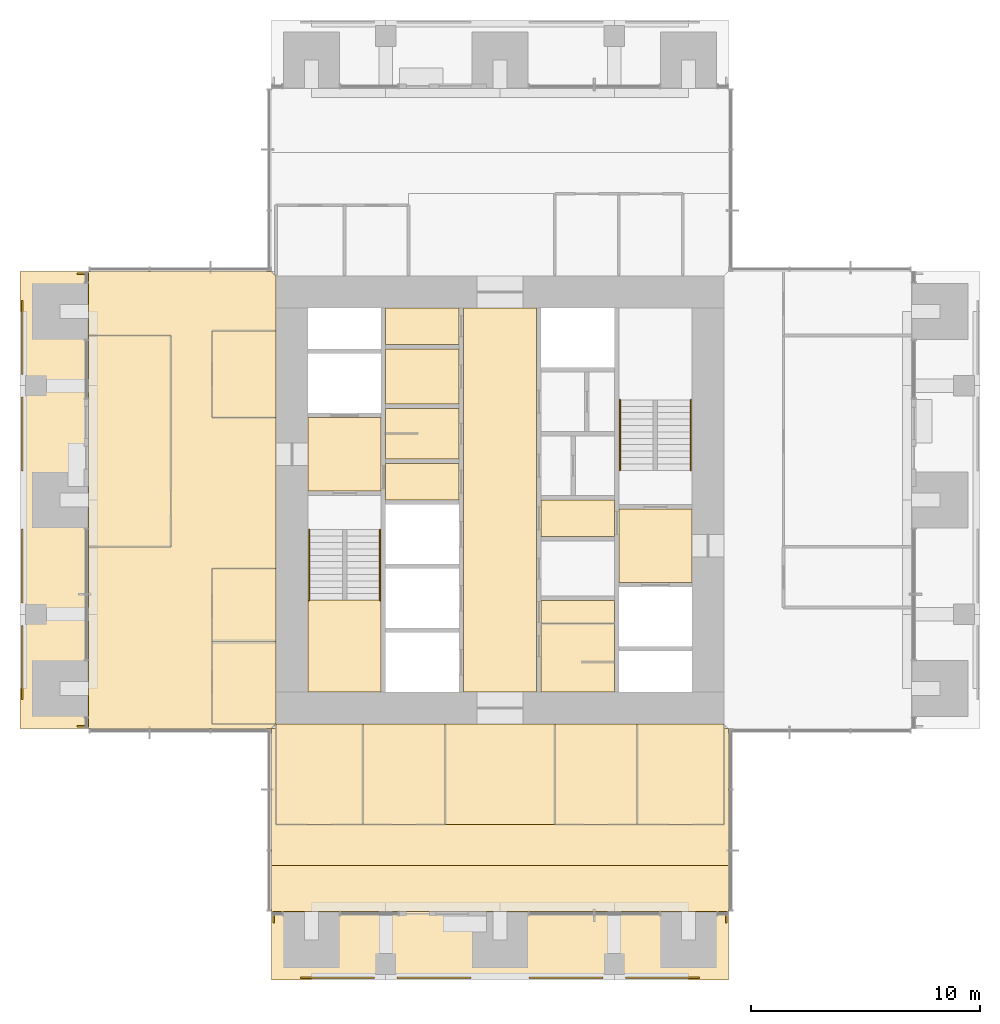
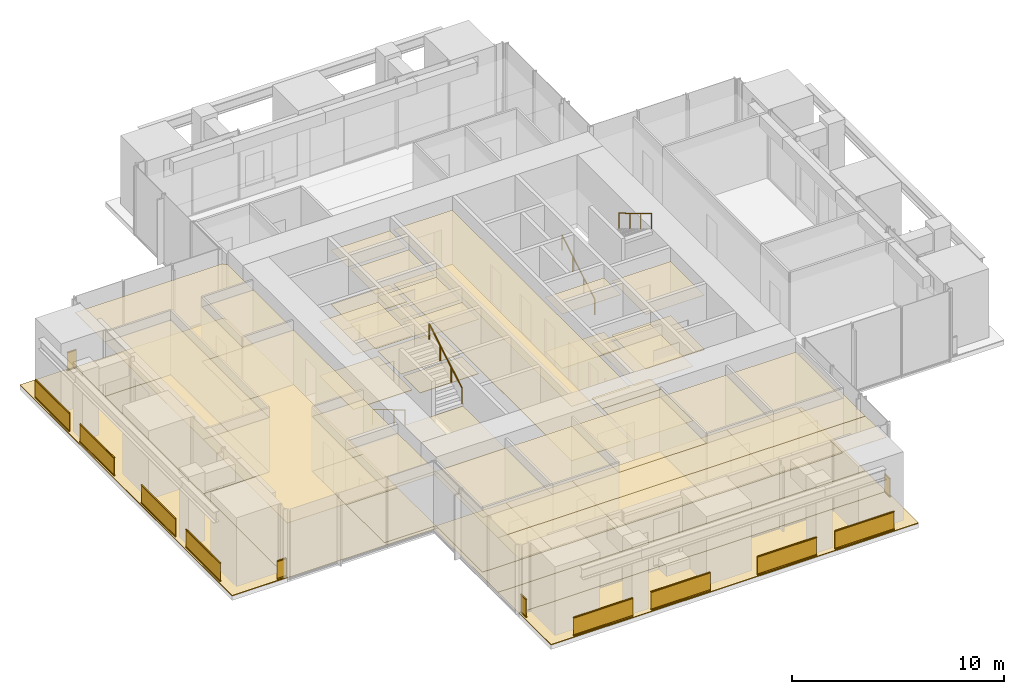
# One storey, part 15 of 17: 47 coverings, 16 railings.
"""IFC4 building model written with IfcOpenShell, lengths in metres."""

from ifc_helpers import new_model, si_unit, direction, frame, origin, origin_2d, place, context, subcontext, project, spatial, polyline, rectangle, circle, outline, extrude, material, layer, layer_set, type_object, element, save


model = new_model("IFC4")

# Units and contexts
model_context = context("Model", 3, precision=1e-05, world=origin(), true_north=direction((0.0, 1.0)))
body_context = subcontext(model_context, "Body", "Model", "MODEL_VIEW")
ifc_project = project(units=[si_unit("LENGTHUNIT", "METRE"), si_unit("AREAUNIT", "SQUARE_METRE"), si_unit("VOLUMEUNIT", "CUBIC_METRE"), si_unit("PLANEANGLEUNIT", "RADIAN"), si_unit("MASSUNIT", "GRAM", prefix="KILO")], contexts=[model_context])

# Site, building, storey
site_placement = place(None, origin())
site = spatial("IfcSite", under=ifc_project, at=site_placement, CompositionType="ELEMENT")
building_placement = place(site_placement, origin())
building = spatial("IfcBuilding", under=site, at=building_placement, Name="Svetlomir Tower", CompositionType="ELEMENT")
storey_placement = place(building_placement, frame((0.0, 0.0, 206.5)))
storey = spatial("IfcBuildingStorey", under=building, at=storey_placement, Name="L49", CompositionType="ELEMENT", Elevation=206.5)

# Railings
ifc_material_1 = material(Name="Bronze anodised aluminium and laminated glass", Category="aluminium")
railing_type_1 = type_object("IfcRailingType", Name="BALCONY GUARD GR1 1100", PredefinedType="GUARDRAIL", material=ifc_material_1)
for number, where, name in (
    (1, (12.27490234375, 0.10009765625, 0.0), "Loggia guard S L49 bay 1"),
    (2, (16.5, 0.10009765625, 0.0), "Loggia guard S L49 bay 2"),
    (3, (22.27490234375, 0.10009765625, 0.0), "Loggia guard S L49 bay 3"),
    (4, (26.5, 0.10009765625, 0.0), "Loggia guard S L49 bay 4"),
):
    element("IfcRailing", number, at=place(storey_placement, frame(where)), inside=storey, type_object=railing_type_1, Name=name, PredefinedType="GUARDRAIL", context=body_context, shape_type="SweptSolid", body=[
        extrude(rectangle(XDim=0.06005859375, YDim=0.10009765625, at=origin_2d()), frame((0.0, 0.0, 0.050048828125), z_axis=(1.0, 0.0, 0.0), x_axis=(0.0, 1.0, 0.0)), (0.0, 0.0, 1.0), 3.22509765625),
        extrude(rectangle(XDim=0.021484375, YDim=0.960205078125, at=origin_2d()), frame((0.0, 0.0, 0.580078125), z_axis=(1.0, 0.0, 0.0), x_axis=(0.0, 1.0, 0.0)), (0.0, 0.0, 1.0), 3.22509765625),
        extrude(rectangle(XDim=0.06005859375, YDim=0.0400390625, at=origin_2d()), frame((0.0, 0.0, 1.080078125), z_axis=(1.0, 0.0, 0.0), x_axis=(0.0, 1.0, 0.0)), (0.0, 0.0, 1.0), 3.22509765625),
    ])
for number, where, name in (
    (5, (11.10009765625, 2.5, 0.0), "Loggia guard S L49 end 1"),
    (6, (30.89990234375, 2.5, 0.0), "Loggia guard S L49 end 2"),
):
    element("IfcRailing", number, at=place(storey_placement, frame(where)), inside=storey, type_object=railing_type_1, Name=name, PredefinedType="GUARDRAIL", context=body_context, shape_type="SweptSolid", body=[
        extrude(rectangle(XDim=0.06005859375, YDim=0.10009765625, at=origin_2d()), frame((0.0, 0.0, 0.050048828125), z_axis=(0.0, 1.0, 0.0), x_axis=(-1.0, 0.0, 0.0)), (0.0, 0.0, 1.0), 0.5),
        extrude(rectangle(XDim=0.021484375, YDim=0.960205078125, at=origin_2d()), frame((0.0, 0.0, 0.580078125), z_axis=(0.0, 1.0, 0.0), x_axis=(-1.0, 0.0, 0.0)), (0.0, 0.0, 1.0), 0.5),
        extrude(rectangle(XDim=0.06005859375, YDim=0.0400390625, at=origin_2d()), frame((0.0, 0.0, 1.080078125), z_axis=(0.0, 1.0, 0.0), x_axis=(-1.0, 0.0, 0.0)), (0.0, 0.0, 1.0), 0.5),
    ])
for number, where, name in (
    (7, (0.10009765625, 12.27490234375, 0.0), "Loggia guard W L49 bay 1"),
    (8, (0.10009765625, 16.5, 0.0), "Loggia guard W L49 bay 2"),
    (9, (0.10009765625, 22.27490234375, 0.0), "Loggia guard W L49 bay 3"),
    (10, (0.10009765625, 26.5, 0.0), "Loggia guard W L49 bay 4"),
):
    element("IfcRailing", number, at=place(storey_placement, frame(where)), inside=storey, type_object=railing_type_1, Name=name, PredefinedType="GUARDRAIL", context=body_context, shape_type="SweptSolid", body=[
        extrude(rectangle(XDim=0.06005859375, YDim=0.10009765625, at=origin_2d()), frame((0.0, 0.0, 0.050048828125), z_axis=(0.0, 1.0, 0.0), x_axis=(-1.0, 0.0, 0.0)), (0.0, 0.0, 1.0), 3.22509765625),
        extrude(rectangle(XDim=0.021484375, YDim=0.960205078125, at=origin_2d()), frame((0.0, 0.0, 0.580078125), z_axis=(0.0, 1.0, 0.0), x_axis=(-1.0, 0.0, 0.0)), (0.0, 0.0, 1.0), 3.22509765625),
        extrude(rectangle(XDim=0.06005859375, YDim=0.0400390625, at=origin_2d()), frame((0.0, 0.0, 1.080078125), z_axis=(0.0, 1.0, 0.0), x_axis=(-1.0, 0.0, 0.0)), (0.0, 0.0, 1.0), 3.22509765625),
    ])
for number, where, name in (
    (11, (2.5, 11.10009765625, 0.0), "Loggia guard W L49 end 1"),
    (12, (2.5, 30.89990234375, 0.0), "Loggia guard W L49 end 2"),
):
    element("IfcRailing", number, at=place(storey_placement, frame(where)), inside=storey, type_object=railing_type_1, Name=name, PredefinedType="GUARDRAIL", context=body_context, shape_type="SweptSolid", body=[
        extrude(rectangle(XDim=0.06005859375, YDim=0.10009765625, at=origin_2d()), frame((0.0, 0.0, 0.050048828125), z_axis=(1.0, 0.0, 0.0), x_axis=(0.0, 1.0, 0.0)), (0.0, 0.0, 1.0), 0.5),
        extrude(rectangle(XDim=0.021484375, YDim=0.960205078125, at=origin_2d()), frame((0.0, 0.0, 0.580078125), z_axis=(1.0, 0.0, 0.0), x_axis=(0.0, 1.0, 0.0)), (0.0, 0.0, 1.0), 0.5),
        extrude(rectangle(XDim=0.06005859375, YDim=0.0400390625, at=origin_2d()), frame((0.0, 0.0, 1.080078125), z_axis=(1.0, 0.0, 0.0), x_axis=(0.0, 1.0, 0.0)), (0.0, 0.0, 1.0), 0.5),
    ])

# Coverings
ifc_material_2 = material(Name="Granite paving slabs on pedestals", Category="masonry")
ifc_layer_1 = layer(ifc_material_2, 0.0400390625)
ifc_layer_set_1 = layer_set([ifc_layer_1], Name="Granite paving slabs on pedestals")
covering_type_1 = type_object("IfcCoveringType", Name="BALCONY PAVING 40", PredefinedType="USERDEFINED", material=ifc_layer_set_1)
covering_1_placement = place(storey_placement, origin())
element("IfcCovering", 13, at=covering_1_placement, inside=storey, type_object=covering_type_1, Name="Loggia paving S L49", ObjectType="BALCONY PAVING", PredefinedType="USERDEFINED", context=body_context, shape_type="SweptSolid", body=[
    extrude(outline(polyline([(11.0, 0.0), (31.0, 0.0), (31.0, 3.0), (11.0, 3.0), (11.0, 0.0)])), origin(), (0.0, 0.0, 1.0), 0.0400390625),
])
covering_2_placement = place(storey_placement, origin())
element("IfcCovering", 14, at=covering_2_placement, inside=storey, type_object=covering_type_1, Name="Loggia paving W L49", ObjectType="BALCONY PAVING", PredefinedType="USERDEFINED", context=body_context, shape_type="SweptSolid", body=[
    extrude(outline(polyline([(0.0, 11.0), (3.0, 11.0), (3.0, 31.0), (0.0, 31.0), (0.0, 11.0)])), origin(), (0.0, 0.0, 1.0), 0.0400390625),
])
ifc_material_3 = material(Name="Carpet tile", Category="textile")
ifc_layer_2 = layer(ifc_material_3, 0.010009765625)
ifc_layer_set_2 = layer_set([ifc_layer_2], Name="Carpet tile")
covering_type_2 = type_object("IfcCoveringType", Name="CARPET TILE FLOOR 10", PredefinedType="FLOORING", material=ifc_layer_set_2)
covering_3_placement = place(storey_placement, origin())
element("IfcCovering", 15, at=covering_3_placement, inside=storey, type_object=covering_type_2, Name="Floor finish L49-18", PredefinedType="FLOORING", context=body_context, shape_type="SweptSolid", body=[
    extrude(outline(polyline([(11.199951171875, 6.800048828125), (15.0, 6.800048828125), (15.0, 11.199951171875), (11.199951171875, 11.199951171875), (11.199951171875, 6.800048828125)])), origin(), (0.0, 0.0, 1.0), 0.010009765625),
])
covering_4_placement = place(storey_placement, origin())
element("IfcCovering", 16, at=covering_4_placement, inside=storey, type_object=covering_type_2, Name="Floor finish L49-19", PredefinedType="FLOORING", context=body_context, shape_type="SweptSolid", body=[
    extrude(outline(polyline([(15.0, 6.800048828125), (18.60009765625, 6.800048828125), (18.60009765625, 11.199951171875), (15.0, 11.199951171875), (15.0, 6.800048828125)])), origin(), (0.0, 0.0, 1.0), 0.010009765625),
])
covering_5_placement = place(storey_placement, origin())
element("IfcCovering", 17, at=covering_5_placement, inside=storey, type_object=covering_type_2, Name="Floor finish L49-20", PredefinedType="FLOORING", context=body_context, shape_type="SweptSolid", body=[
    extrude(outline(polyline([(23.39990234375, 6.800048828125), (27.0, 6.800048828125), (27.0, 11.199951171875), (23.39990234375, 11.199951171875), (23.39990234375, 6.800048828125)])), origin(), (0.0, 0.0, 1.0), 0.010009765625),
])
covering_6_placement = place(storey_placement, origin())
element("IfcCovering", 18, at=covering_6_placement, inside=storey, type_object=covering_type_2, Name="Floor finish L49-21", PredefinedType="FLOORING", context=body_context, shape_type="SweptSolid", body=[
    extrude(outline(polyline([(27.0, 6.800048828125), (30.800048828125, 6.800048828125), (30.800048828125, 11.199951171875), (27.0, 11.199951171875), (27.0, 6.800048828125)])), origin(), (0.0, 0.0, 1.0), 0.010009765625),
])
covering_7_placement = place(storey_placement, origin())
element("IfcCovering", 19, at=covering_7_placement, inside=storey, type_object=covering_type_2, Name="Floor finish L49-29", PredefinedType="FLOORING", context=body_context, shape_type="SweptSolid", body=[
    extrude(outline(polyline([(8.39990234375, 11.199951171875), (11.199951171875, 11.199951171875), (11.199951171875, 14.800048828125), (8.39990234375, 14.800048828125), (8.39990234375, 11.199951171875)])), origin(), (0.0, 0.0, 1.0), 0.010009765625),
])
covering_8_placement = place(storey_placement, origin())
element("IfcCovering", 20, at=covering_8_placement, inside=storey, type_object=covering_type_2, Name="Floor finish L49-30", PredefinedType="FLOORING", context=body_context, shape_type="SweptSolid", body=[
    extrude(outline(polyline([(8.39990234375, 14.800048828125), (11.199951171875, 14.800048828125), (11.199951171875, 18.0), (8.39990234375, 18.0), (8.39990234375, 14.800048828125)])), origin(), (0.0, 0.0, 1.0), 0.010009765625),
])
covering_9_placement = place(storey_placement, origin())
element("IfcCovering", 21, at=covering_9_placement, inside=storey, type_object=covering_type_2, Name="Floor finish L49-31", PredefinedType="FLOORING", context=body_context, shape_type="SweptSolid", body=[
    extrude(outline(polyline([(8.39990234375, 24.60009765625), (11.199951171875, 24.60009765625), (11.199951171875, 28.39990234375), (8.39990234375, 28.39990234375), (8.39990234375, 24.60009765625)])), origin(), (0.0, 0.0, 1.0), 0.010009765625),
])
covering_10_placement = place(storey_placement, origin())
element("IfcCovering", 22, at=covering_10_placement, inside=storey, type_object=covering_type_2, Name="Floor finish L49-32", PredefinedType="FLOORING", context=body_context, shape_type="SweptSolid", body=[
    extrude(outline(polyline([(3.0, 18.949951171875), (6.60009765625, 18.949951171875), (6.60009765625, 28.199951171875), (3.0, 28.199951171875), (3.0, 18.949951171875)])), origin(), (0.0, 0.0, 1.0), 0.010009765625),
])
covering_11_placement = place(storey_placement, origin())
element("IfcCovering", 23, at=covering_11_placement, inside=storey, type_object=covering_type_2, Name="Floor finish L49-33", PredefinedType="FLOORING", context=body_context, shape_type="SweptSolid", body=[
    extrude(outline(polyline([(11.0, 11.0), (11.199951171875, 11.0), (11.199951171875, 6.800048828125), (30.800048828125, 6.800048828125), (30.800048828125, 11.0), (31.0, 11.0), (31.0, 5.0), (11.0, 5.0), (11.0, 11.0)])), origin(), (0.0, 0.0, 1.0), 0.010009765625),
])
covering_12_placement = place(storey_placement, origin())
element("IfcCovering", 24, at=covering_12_placement, inside=storey, type_object=covering_type_2, Name="Floor finish L49-35", PredefinedType="FLOORING", context=body_context, shape_type="SweptSolid", body=[
    extrude(outline(polyline([(11.0, 3.0), (11.0, 5.0), (31.0, 5.0), (31.0, 3.0), (11.0, 3.0)])), origin(), (0.0, 0.0, 1.0), 0.010009765625),
])
covering_13_placement = place(storey_placement, origin())
element("IfcCovering", 25, at=covering_13_placement, inside=storey, type_object=covering_type_2, Name="Floor finish L49-36", PredefinedType="FLOORING", context=body_context, shape_type="SweptSolid", body=[
    extrude(outline(polyline([(23.39990234375, 6.800048828125), (18.60009765625, 6.800048828125), (18.60009765625, 11.199951171875), (23.39990234375, 11.199951171875), (23.39990234375, 6.800048828125)])), origin(), (0.0, 0.0, 1.0), 0.010009765625),
])
covering_14_placement = place(storey_placement, origin())
element("IfcCovering", 26, at=covering_14_placement, inside=storey, type_object=covering_type_2, Name="Floor finish L49-41", PredefinedType="FLOORING", context=body_context, shape_type="SweptSolid", body=[
    extrude(outline(polyline([(11.199951171875, 28.39990234375), (8.39990234375, 28.39990234375), (8.39990234375, 24.60009765625), (11.199951171875, 24.60009765625), (11.199951171875, 18.0), (8.39990234375, 18.0), (8.39990234375, 11.199951171875), (11.199951171875, 11.199951171875), (11.0, 11.0), (3.0, 11.0), (3.0, 18.949951171875), (6.60009765625, 18.949951171875), (6.60009765625, 28.199951171875), (3.0, 28.199951171875), (3.0, 31.0), (11.0, 31.0), (11.199951171875, 30.800048828125), (11.199951171875, 28.39990234375)])), origin(), (0.0, 0.0, 1.0), 0.010009765625),
])
ifc_material_4 = material(Name="Ceramic floor tile", Category="ceramic")
ifc_layer_3 = layer(ifc_material_4, 0.014892578125)
ifc_layer_set_3 = layer_set([ifc_layer_3], Name="Ceramic floor tile")
covering_type_3 = type_object("IfcCoveringType", Name="CERAMIC TILE FLOOR 15", PredefinedType="FLOORING", material=ifc_layer_set_3)
covering_15_placement = place(storey_placement, origin())
element("IfcCovering", 27, at=covering_15_placement, inside=storey, type_object=covering_type_3, Name="Floor finish L49-04", PredefinedType="FLOORING", context=body_context, shape_type="SweptSolid", body=[
    extrude(outline(polyline([(16.0, 22.800048828125), (19.199951171875, 22.800048828125), (19.199951171875, 25.0), (16.0, 25.0), (16.0, 22.800048828125)])), origin(), (0.0, 0.0, 1.0), 0.014892578125),
])
covering_16_placement = place(storey_placement, origin())
element("IfcCovering", 28, at=covering_16_placement, inside=storey, type_object=covering_type_3, Name="Floor finish L49-05", PredefinedType="FLOORING", context=body_context, shape_type="SweptSolid", body=[
    extrude(outline(polyline([(16.0, 25.199951171875), (19.199951171875, 25.199951171875), (19.199951171875, 27.60009765625), (16.0, 27.60009765625), (16.0, 25.199951171875)])), origin(), (0.0, 0.0, 1.0), 0.014892578125),
])
covering_17_placement = place(storey_placement, origin())
element("IfcCovering", 29, at=covering_17_placement, inside=storey, type_object=covering_type_3, Name="Floor finish L49-08", PredefinedType="FLOORING", context=body_context, shape_type="SweptSolid", body=[
    extrude(outline(polyline([(22.800048828125, 15.60009765625), (26.0, 15.60009765625), (26.0, 16.60009765625), (22.800048828125, 16.60009765625), (22.800048828125, 15.60009765625)])), origin(), (0.0, 0.0, 1.0), 0.014892578125),
])
covering_18_placement = place(storey_placement, origin())
element("IfcCovering", 30, at=covering_18_placement, inside=storey, type_object=covering_type_3, Name="Floor finish L49-09", PredefinedType="FLOORING", context=body_context, shape_type="SweptSolid", body=[
    extrude(outline(polyline([(22.800048828125, 12.60009765625), (26.0, 12.60009765625), (26.0, 15.60009765625), (22.800048828125, 15.60009765625), (22.800048828125, 12.60009765625)])), origin(), (0.0, 0.0, 1.0), 0.014892578125),
])

# Railings
ifc_material_5 = material(Name="Stainless steel", Category="steel")
railing_type_2 = type_object("IfcRailingType", Name="HANDRAIL HR1 900", PredefinedType="HANDRAIL", material=ifc_material_5)
railing_1_placement = place(storey_placement, frame((12.64990234375, 19.699951171875, 0.166748046875)))
element("IfcRailing", 31, at=railing_1_placement, inside=storey, type_object=railing_type_2, Name="Handrail S1 flight 1 L49", PredefinedType="HANDRAIL", context=body_context, shape_type="SweptSolid", body=[
    extrude(circle(Radius=0.02392578125, at=origin_2d()), frame((0.0, 0.0, 0.8759765625), z_axis=(0.0, -0.859290745958, 0.51148745235), x_axis=(1.0, 0.0, 0.0)), (0.0, 0.0, 1.0), 3.584228515625),
    extrude(circle(Radius=0.02099609375, at=origin_2d()), origin(), (0.0, 0.0, 1.0), 0.851806640625),
    extrude(circle(Radius=0.02099609375, at=origin_2d()), frame((0.0, -1.026611328125, 0.611083984375)), (0.0, 0.0, 1.0), 0.851806640625),
    extrude(circle(Radius=0.02099609375, at=origin_2d()), frame((0.0, -2.05322265625, 1.22216796875)), (0.0, 0.0, 1.0), 0.851806640625),
    extrude(circle(Radius=0.02099609375, at=origin_2d()), frame((0.0, -3.079833984375, 1.833251953125)), (0.0, 0.0, 1.0), 0.851806640625),
])
for number, where, name in (
    (32, (15.75, 16.6201171875, 2.166748046875), "Handrail S1 flight 2 L49"),
    (33, (26.25, 22.300048828125, 0.166748046875), "Handrail S2 flight 1 L49"),
):
    element("IfcRailing", number, at=place(storey_placement, frame(where)), inside=storey, type_object=railing_type_2, Name=name, PredefinedType="HANDRAIL", context=body_context, shape_type="SweptSolid", body=[
        extrude(circle(Radius=0.02392578125, at=origin_2d()), frame((0.0, 0.0, 0.8759765625), z_axis=(0.0, 0.859290745958, 0.51148745235), x_axis=(-1.0, 0.0, 0.0)), (0.0, 0.0, 1.0), 3.584228515625),
        extrude(circle(Radius=0.02099609375, at=origin_2d()), origin(), (0.0, 0.0, 1.0), 0.851806640625),
        extrude(circle(Radius=0.02099609375, at=origin_2d()), frame((0.0, 1.026611328125, 0.611083984375)), (0.0, 0.0, 1.0), 0.851806640625),
        extrude(circle(Radius=0.02099609375, at=origin_2d()), frame((0.0, 2.05322265625, 1.22216796875)), (0.0, 0.0, 1.0), 0.851806640625),
        extrude(circle(Radius=0.02099609375, at=origin_2d()), frame((0.0, 3.079833984375, 1.833251953125)), (0.0, 0.0, 1.0), 0.851806640625),
    ])
railing_2_placement = place(storey_placement, frame((29.35009765625, 25.3798828125, 2.166748046875)))
element("IfcRailing", 34, at=railing_2_placement, inside=storey, type_object=railing_type_2, Name="Handrail S2 flight 2 L49", PredefinedType="HANDRAIL", context=body_context, shape_type="SweptSolid", body=[
    extrude(circle(Radius=0.02392578125, at=origin_2d()), frame((0.0, 0.0, 0.8759765625), z_axis=(0.0, -0.859290745958, 0.51148745235), x_axis=(1.0, 0.0, 0.0)), (0.0, 0.0, 1.0), 3.584228515625),
    extrude(circle(Radius=0.02099609375, at=origin_2d()), origin(), (0.0, 0.0, 1.0), 0.851806640625),
    extrude(circle(Radius=0.02099609375, at=origin_2d()), frame((0.0, -1.026611328125, 0.611083984375)), (0.0, 0.0, 1.0), 0.851806640625),
    extrude(circle(Radius=0.02099609375, at=origin_2d()), frame((0.0, -2.05322265625, 1.22216796875)), (0.0, 0.0, 1.0), 0.851806640625),
    extrude(circle(Radius=0.02099609375, at=origin_2d()), frame((0.0, -3.079833984375, 1.833251953125)), (0.0, 0.0, 1.0), 0.851806640625),
])

# Coverings
ifc_material_6 = material(Name="Moisture resistant plasterboard ceiling", Category="gypsum")
ifc_layer_4 = layer(ifc_material_6, 0.012451171875)
ifc_layer_set_4 = layer_set([ifc_layer_4], Name="Moisture resistant plasterboard ceiling")
covering_type_4 = type_object("IfcCoveringType", Name="MOISTURE RESISTANT CEILING 12.5", PredefinedType="CEILING", material=ifc_layer_set_4)
covering_19_placement = place(storey_placement, frame((0.0, 0.0, 3.137451171875)))
element("IfcCovering", 35, at=covering_19_placement, inside=storey, type_object=covering_type_4, Name="Ceiling L49-04", PredefinedType="CEILING", context=body_context, shape_type="SweptSolid", body=[
    extrude(outline(polyline([(16.0, 22.800048828125), (19.199951171875, 22.800048828125), (19.199951171875, 25.0), (16.0, 25.0), (16.0, 22.800048828125)])), origin(), (0.0, 0.0, 1.0), 0.012451171875),
])
covering_20_placement = place(storey_placement, frame((0.0, 0.0, 3.137451171875)))
element("IfcCovering", 36, at=covering_20_placement, inside=storey, type_object=covering_type_4, Name="Ceiling L49-05", PredefinedType="CEILING", context=body_context, shape_type="SweptSolid", body=[
    extrude(outline(polyline([(16.0, 25.199951171875), (19.199951171875, 25.199951171875), (19.199951171875, 27.60009765625), (16.0, 27.60009765625), (16.0, 25.199951171875)])), origin(), (0.0, 0.0, 1.0), 0.012451171875),
])
covering_21_placement = place(storey_placement, frame((0.0, 0.0, 3.137451171875)))
element("IfcCovering", 37, at=covering_21_placement, inside=storey, type_object=covering_type_4, Name="Ceiling L49-08", PredefinedType="CEILING", context=body_context, shape_type="SweptSolid", body=[
    extrude(outline(polyline([(22.800048828125, 15.60009765625), (26.0, 15.60009765625), (26.0, 16.60009765625), (22.800048828125, 16.60009765625), (22.800048828125, 15.60009765625)])), origin(), (0.0, 0.0, 1.0), 0.012451171875),
])
covering_22_placement = place(storey_placement, frame((0.0, 0.0, 3.137451171875)))
element("IfcCovering", 38, at=covering_22_placement, inside=storey, type_object=covering_type_4, Name="Ceiling L49-09", PredefinedType="CEILING", context=body_context, shape_type="SweptSolid", body=[
    extrude(outline(polyline([(22.800048828125, 12.60009765625), (26.0, 12.60009765625), (26.0, 15.60009765625), (22.800048828125, 15.60009765625), (22.800048828125, 12.60009765625)])), origin(), (0.0, 0.0, 1.0), 0.012451171875),
])
ifc_material_7 = material(Name="Gypsum plasterboard ceiling", Category="gypsum")
ifc_layer_5 = layer(ifc_material_7, 0.014892578125)
ifc_layer_set_5 = layer_set([ifc_layer_5], Name="Gypsum plasterboard ceiling")
covering_type_5 = type_object("IfcCoveringType", Name="PLASTERBOARD CEILING 15", PredefinedType="CEILING", material=ifc_layer_set_5)
covering_23_placement = place(storey_placement, frame((0.0, 0.0, 3.135009765625)))
element("IfcCovering", 39, at=covering_23_placement, inside=storey, type_object=covering_type_5, Name="Ceiling L49-02", PredefinedType="CEILING", context=body_context, shape_type="SweptSolid", body=[
    extrude(outline(polyline([(12.60009765625, 21.39990234375), (15.800048828125, 21.39990234375), (15.800048828125, 24.60009765625), (12.60009765625, 24.60009765625), (12.60009765625, 21.39990234375)])), origin(), (0.0, 0.0, 1.0), 0.014892578125),
])
covering_24_placement = place(storey_placement, frame((0.0, 0.0, 3.135009765625)))
element("IfcCovering", 40, at=covering_24_placement, inside=storey, type_object=covering_type_5, Name="Ceiling L49-03", PredefinedType="CEILING", context=body_context, shape_type="SweptSolid", body=[
    extrude(outline(polyline([(16.0, 21.0), (19.199951171875, 21.0), (19.199951171875, 22.60009765625), (16.0, 22.60009765625), (16.0, 21.0)])), origin(), (0.0, 0.0, 1.0), 0.014892578125),
])
covering_25_placement = place(storey_placement, frame((0.0, 0.0, 3.135009765625)))
element("IfcCovering", 41, at=covering_25_placement, inside=storey, type_object=covering_type_5, Name="Ceiling L49-06", PredefinedType="CEILING", context=body_context, shape_type="SweptSolid", body=[
    extrude(outline(polyline([(16.0, 27.800048828125), (19.199951171875, 27.800048828125), (19.199951171875, 29.39990234375), (16.0, 29.39990234375), (16.0, 27.800048828125)])), origin(), (0.0, 0.0, 1.0), 0.014892578125),
])
covering_26_placement = place(storey_placement, frame((0.0, 0.0, 3.135009765625)))
element("IfcCovering", 42, at=covering_26_placement, inside=storey, type_object=covering_type_5, Name="Ceiling L49-07", PredefinedType="CEILING", context=body_context, shape_type="SweptSolid", body=[
    extrude(outline(polyline([(19.39990234375, 12.60009765625), (22.60009765625, 12.60009765625), (22.60009765625, 29.39990234375), (19.39990234375, 29.39990234375), (19.39990234375, 12.60009765625)])), origin(), (0.0, 0.0, 1.0), 0.014892578125),
])
covering_27_placement = place(storey_placement, frame((0.0, 0.0, 3.135009765625)))
element("IfcCovering", 43, at=covering_27_placement, inside=storey, type_object=covering_type_5, Name="Ceiling L49-11", PredefinedType="CEILING", context=body_context, shape_type="SweptSolid", body=[
    extrude(outline(polyline([(22.800048828125, 19.39990234375), (26.0, 19.39990234375), (26.0, 21.0), (22.800048828125, 21.0), (22.800048828125, 19.39990234375)])), origin(), (0.0, 0.0, 1.0), 0.014892578125),
])
covering_28_placement = place(storey_placement, frame((0.0, 0.0, 3.135009765625)))
element("IfcCovering", 44, at=covering_28_placement, inside=storey, type_object=covering_type_5, Name="Ceiling L49-12", PredefinedType="CEILING", context=body_context, shape_type="SweptSolid", body=[
    extrude(outline(polyline([(26.199951171875, 17.39990234375), (29.39990234375, 17.39990234375), (29.39990234375, 20.60009765625), (26.199951171875, 20.60009765625), (26.199951171875, 17.39990234375)])), origin(), (0.0, 0.0, 1.0), 0.014892578125),
])
ifc_material_8 = material(Name="Studded rubber floor finish", Category="rubber")
ifc_layer_6 = layer(ifc_material_8, 0.006103515625)
ifc_layer_set_6 = layer_set([ifc_layer_6], Name="Studded rubber floor finish")
covering_type_6 = type_object("IfcCoveringType", Name="RUBBER LANDING FINISH 6", PredefinedType="FLOORING", material=ifc_layer_set_6)
covering_29_placement = place(storey_placement, frame((0.0, 0.0, 2.0)))
element("IfcCovering", 45, at=covering_29_placement, inside=storey, type_object=covering_type_6, Name="Stair S1 landing finish L49", PredefinedType="FLOORING", context=body_context, shape_type="SweptSolid", body=[
    extrude(outline(polyline([(12.60009765625, 12.60009765625), (15.800048828125, 12.60009765625), (15.800048828125, 16.6201171875), (12.60009765625, 16.6201171875), (12.60009765625, 12.60009765625)])), origin(), (0.0, 0.0, 1.0), 0.006103515625),
])
ifc_material_9 = material(Name="Mineral fibre ceiling tile", Category="mineral")
ifc_layer_7 = layer(ifc_material_9, 0.02001953125)
ifc_layer_set_7 = layer_set([ifc_layer_7], Name="Mineral fibre ceiling tile")
covering_type_7 = type_object("IfcCoveringType", Name="SUSPENDED CEILING 20", PredefinedType="CEILING", material=ifc_layer_set_7)
covering_30_placement = place(storey_placement, frame((0.0, 0.0, 3.1298828125)))
element("IfcCovering", 46, at=covering_30_placement, inside=storey, type_object=covering_type_7, Name="Ceiling L49-18", PredefinedType="CEILING", context=body_context, shape_type="SweptSolid", body=[
    extrude(outline(polyline([(11.199951171875, 6.800048828125), (15.0, 6.800048828125), (15.0, 11.199951171875), (11.199951171875, 11.199951171875), (11.199951171875, 6.800048828125)])), origin(), (0.0, 0.0, 1.0), 0.02001953125),
])
covering_31_placement = place(storey_placement, frame((0.0, 0.0, 3.1298828125)))
element("IfcCovering", 47, at=covering_31_placement, inside=storey, type_object=covering_type_7, Name="Ceiling L49-19", PredefinedType="CEILING", context=body_context, shape_type="SweptSolid", body=[
    extrude(outline(polyline([(15.0, 6.800048828125), (18.60009765625, 6.800048828125), (18.60009765625, 11.199951171875), (15.0, 11.199951171875), (15.0, 6.800048828125)])), origin(), (0.0, 0.0, 1.0), 0.02001953125),
])
covering_32_placement = place(storey_placement, frame((0.0, 0.0, 3.1298828125)))
element("IfcCovering", 48, at=covering_32_placement, inside=storey, type_object=covering_type_7, Name="Ceiling L49-20", PredefinedType="CEILING", context=body_context, shape_type="SweptSolid", body=[
    extrude(outline(polyline([(23.39990234375, 6.800048828125), (27.0, 6.800048828125), (27.0, 11.199951171875), (23.39990234375, 11.199951171875), (23.39990234375, 6.800048828125)])), origin(), (0.0, 0.0, 1.0), 0.02001953125),
])
covering_33_placement = place(storey_placement, frame((0.0, 0.0, 3.1298828125)))
element("IfcCovering", 49, at=covering_33_placement, inside=storey, type_object=covering_type_7, Name="Ceiling L49-21", PredefinedType="CEILING", context=body_context, shape_type="SweptSolid", body=[
    extrude(outline(polyline([(27.0, 6.800048828125), (30.800048828125, 6.800048828125), (30.800048828125, 11.199951171875), (27.0, 11.199951171875), (27.0, 6.800048828125)])), origin(), (0.0, 0.0, 1.0), 0.02001953125),
])
covering_34_placement = place(storey_placement, frame((0.0, 0.0, 3.1298828125)))
element("IfcCovering", 50, at=covering_34_placement, inside=storey, type_object=covering_type_7, Name="Ceiling L49-29", PredefinedType="CEILING", context=body_context, shape_type="SweptSolid", body=[
    extrude(outline(polyline([(8.39990234375, 11.199951171875), (11.199951171875, 11.199951171875), (11.199951171875, 14.800048828125), (8.39990234375, 14.800048828125), (8.39990234375, 11.199951171875)])), origin(), (0.0, 0.0, 1.0), 0.02001953125),
])
covering_35_placement = place(storey_placement, frame((0.0, 0.0, 3.1298828125)))
element("IfcCovering", 51, at=covering_35_placement, inside=storey, type_object=covering_type_7, Name="Ceiling L49-30", PredefinedType="CEILING", context=body_context, shape_type="SweptSolid", body=[
    extrude(outline(polyline([(8.39990234375, 14.800048828125), (11.199951171875, 14.800048828125), (11.199951171875, 18.0), (8.39990234375, 18.0), (8.39990234375, 14.800048828125)])), origin(), (0.0, 0.0, 1.0), 0.02001953125),
])
covering_36_placement = place(storey_placement, frame((0.0, 0.0, 3.1298828125)))
element("IfcCovering", 52, at=covering_36_placement, inside=storey, type_object=covering_type_7, Name="Ceiling L49-31", PredefinedType="CEILING", context=body_context, shape_type="SweptSolid", body=[
    extrude(outline(polyline([(8.39990234375, 24.60009765625), (11.199951171875, 24.60009765625), (11.199951171875, 28.39990234375), (8.39990234375, 28.39990234375), (8.39990234375, 24.60009765625)])), origin(), (0.0, 0.0, 1.0), 0.02001953125),
])
covering_37_placement = place(storey_placement, frame((0.0, 0.0, 3.1298828125)))
element("IfcCovering", 53, at=covering_37_placement, inside=storey, type_object=covering_type_7, Name="Ceiling L49-32", PredefinedType="CEILING", context=body_context, shape_type="SweptSolid", body=[
    extrude(outline(polyline([(3.0, 18.949951171875), (6.60009765625, 18.949951171875), (6.60009765625, 28.199951171875), (3.0, 28.199951171875), (3.0, 18.949951171875)])), origin(), (0.0, 0.0, 1.0), 0.02001953125),
])
covering_38_placement = place(storey_placement, frame((0.0, 0.0, 3.1298828125)))
element("IfcCovering", 54, at=covering_38_placement, inside=storey, type_object=covering_type_7, Name="Ceiling L49-33", PredefinedType="CEILING", context=body_context, shape_type="SweptSolid", body=[
    extrude(outline(polyline([(11.0, 11.0), (11.199951171875, 11.0), (11.199951171875, 6.800048828125), (30.800048828125, 6.800048828125), (30.800048828125, 11.0), (31.0, 11.0), (31.0, 5.0), (11.0, 5.0), (11.0, 11.0)])), origin(), (0.0, 0.0, 1.0), 0.02001953125),
])
covering_39_placement = place(storey_placement, frame((0.0, 0.0, 3.1298828125)))
element("IfcCovering", 55, at=covering_39_placement, inside=storey, type_object=covering_type_7, Name="Ceiling L49-35", PredefinedType="CEILING", context=body_context, shape_type="SweptSolid", body=[
    extrude(outline(polyline([(11.0, 3.0), (11.0, 5.0), (31.0, 5.0), (31.0, 3.0), (11.0, 3.0)])), origin(), (0.0, 0.0, 1.0), 0.02001953125),
])
covering_40_placement = place(storey_placement, frame((0.0, 0.0, 3.1298828125)))
element("IfcCovering", 56, at=covering_40_placement, inside=storey, type_object=covering_type_7, Name="Ceiling L49-36", PredefinedType="CEILING", context=body_context, shape_type="SweptSolid", body=[
    extrude(outline(polyline([(23.39990234375, 6.800048828125), (18.60009765625, 6.800048828125), (18.60009765625, 11.199951171875), (23.39990234375, 11.199951171875), (23.39990234375, 6.800048828125)])), origin(), (0.0, 0.0, 1.0), 0.02001953125),
])
covering_41_placement = place(storey_placement, frame((0.0, 0.0, 3.1298828125)))
element("IfcCovering", 57, at=covering_41_placement, inside=storey, type_object=covering_type_7, Name="Ceiling L49-41", PredefinedType="CEILING", context=body_context, shape_type="SweptSolid", body=[
    extrude(outline(polyline([(11.199951171875, 28.39990234375), (8.39990234375, 28.39990234375), (8.39990234375, 24.60009765625), (11.199951171875, 24.60009765625), (11.199951171875, 18.0), (8.39990234375, 18.0), (8.39990234375, 11.199951171875), (11.199951171875, 11.199951171875), (11.0, 11.0), (3.0, 11.0), (3.0, 18.949951171875), (6.60009765625, 18.949951171875), (6.60009765625, 28.199951171875), (3.0, 28.199951171875), (3.0, 31.0), (11.0, 31.0), (11.199951171875, 30.800048828125), (11.199951171875, 28.39990234375)])), origin(), (0.0, 0.0, 1.0), 0.02001953125),
])
ifc_material_10 = material(Name="Bronze-aggregate terrazzo", Category="stone")
ifc_layer_8 = layer(ifc_material_10, 0.030029296875)
ifc_layer_set_8 = layer_set([ifc_layer_8], Name="Bronze-aggregate terrazzo")
covering_type_8 = type_object("IfcCoveringType", Name="TERRAZZO FLOOR 30", PredefinedType="FLOORING", material=ifc_layer_set_8)
covering_42_placement = place(storey_placement, origin())
element("IfcCovering", 58, at=covering_42_placement, inside=storey, type_object=covering_type_8, Name="Floor finish L49-02", PredefinedType="FLOORING", context=body_context, shape_type="SweptSolid", body=[
    extrude(outline(polyline([(12.60009765625, 21.39990234375), (15.800048828125, 21.39990234375), (15.800048828125, 24.60009765625), (12.60009765625, 24.60009765625), (12.60009765625, 21.39990234375)])), origin(), (0.0, 0.0, 1.0), 0.030029296875),
])
covering_43_placement = place(storey_placement, origin())
element("IfcCovering", 59, at=covering_43_placement, inside=storey, type_object=covering_type_8, Name="Floor finish L49-03", PredefinedType="FLOORING", context=body_context, shape_type="SweptSolid", body=[
    extrude(outline(polyline([(16.0, 21.0), (19.199951171875, 21.0), (19.199951171875, 22.60009765625), (16.0, 22.60009765625), (16.0, 21.0)])), origin(), (0.0, 0.0, 1.0), 0.030029296875),
])
covering_44_placement = place(storey_placement, origin())
element("IfcCovering", 60, at=covering_44_placement, inside=storey, type_object=covering_type_8, Name="Floor finish L49-06", PredefinedType="FLOORING", context=body_context, shape_type="SweptSolid", body=[
    extrude(outline(polyline([(16.0, 27.800048828125), (19.199951171875, 27.800048828125), (19.199951171875, 29.39990234375), (16.0, 29.39990234375), (16.0, 27.800048828125)])), origin(), (0.0, 0.0, 1.0), 0.030029296875),
])
covering_45_placement = place(storey_placement, origin())
element("IfcCovering", 61, at=covering_45_placement, inside=storey, type_object=covering_type_8, Name="Floor finish L49-07", PredefinedType="FLOORING", context=body_context, shape_type="SweptSolid", body=[
    extrude(outline(polyline([(19.39990234375, 12.60009765625), (22.60009765625, 12.60009765625), (22.60009765625, 29.39990234375), (19.39990234375, 29.39990234375), (19.39990234375, 12.60009765625)])), origin(), (0.0, 0.0, 1.0), 0.030029296875),
])
covering_46_placement = place(storey_placement, origin())
element("IfcCovering", 62, at=covering_46_placement, inside=storey, type_object=covering_type_8, Name="Floor finish L49-11", PredefinedType="FLOORING", context=body_context, shape_type="SweptSolid", body=[
    extrude(outline(polyline([(22.800048828125, 19.39990234375), (26.0, 19.39990234375), (26.0, 21.0), (22.800048828125, 21.0), (22.800048828125, 19.39990234375)])), origin(), (0.0, 0.0, 1.0), 0.030029296875),
])
covering_47_placement = place(storey_placement, origin())
element("IfcCovering", 63, at=covering_47_placement, inside=storey, type_object=covering_type_8, Name="Floor finish L49-12", PredefinedType="FLOORING", context=body_context, shape_type="SweptSolid", body=[
    extrude(outline(polyline([(26.199951171875, 17.39990234375), (29.39990234375, 17.39990234375), (29.39990234375, 20.60009765625), (26.199951171875, 20.60009765625), (26.199951171875, 17.39990234375)])), origin(), (0.0, 0.0, 1.0), 0.030029296875),
])

save(model, "model.ifc")
